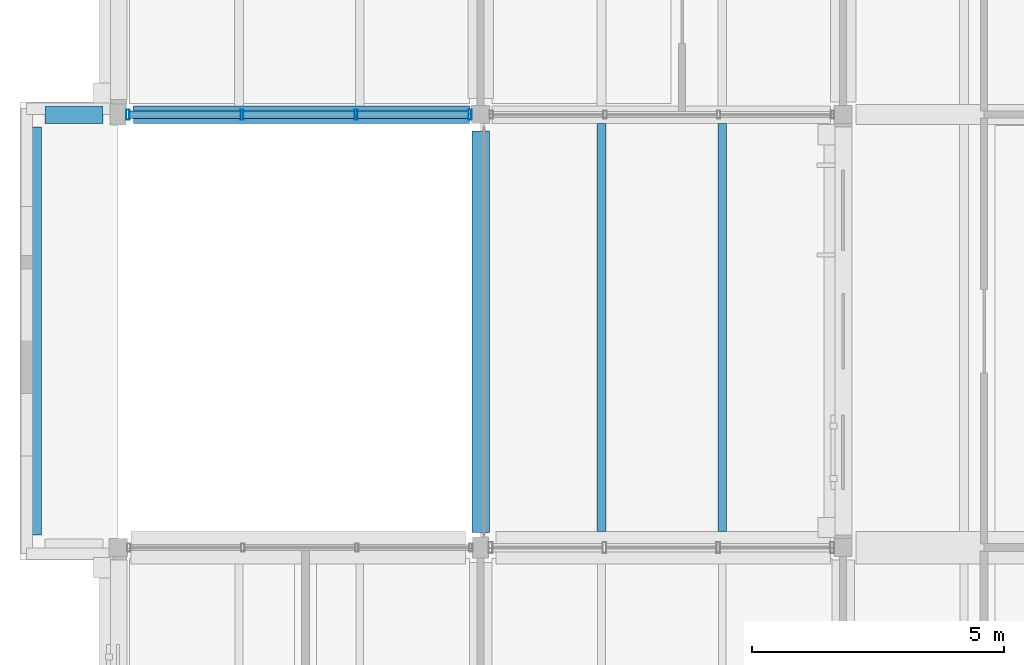
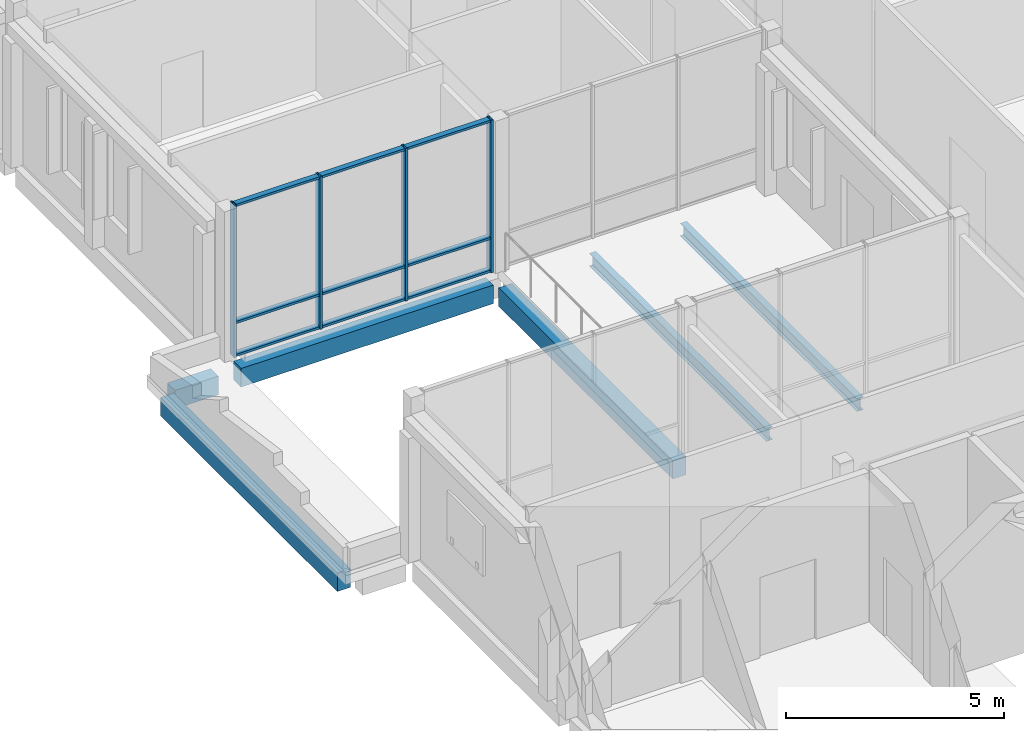
# One storey, part 22 of 146: 13 members, 6 beams, 1 element without a shape of its own.
"""IFC4 building model written with IfcOpenShell, lengths in metres."""

from ifc_helpers import new_model, si_unit, direction, frame, origin, origin_2d, place, context, subcontext, project, spatial, rectangle, hollow_rectangle, i_section, extrude, material, material_profile, profile_set, type_object, element, aggregate, save


model = new_model("IFC4")

# Units and contexts
model_context = context("Model", 3, precision=1e-05, world=origin(), true_north=direction((0.0, 1.0)))
body_context = subcontext(model_context, "Body", "Model", "MODEL_VIEW")
ifc_project = project(units=[si_unit("LENGTHUNIT", "METRE"), si_unit("AREAUNIT", "SQUARE_METRE"), si_unit("VOLUMEUNIT", "CUBIC_METRE"), si_unit("PLANEANGLEUNIT", "RADIAN"), si_unit("MASSUNIT", "GRAM", prefix="KILO")], contexts=[model_context])

# Site, building, storey
site_placement = place(None, origin())
site = spatial("IfcSite", under=ifc_project, at=site_placement, CompositionType="ELEMENT")
building_placement = place(site_placement, origin())
building = spatial("IfcBuilding", under=site, at=building_placement, Name="Hawrajan Terrace Health Centre", CompositionType="ELEMENT")
storey_placement = place(building_placement, frame((0.0, 0.0, 4.5)))
storey = spatial("IfcBuildingStorey", under=building, at=storey_placement, Name="L01", CompositionType="ELEMENT", Elevation=4.5)

# Curtain wall, members
ifc_material_1 = material(Name="Anodized bronze aluminium and low-E solar glazing", Category="aluminium")
curtain_wall_type = type_object("IfcCurtainWallType", Name="CW_Court_SeriesB1", PredefinedType="USERDEFINED", material=ifc_material_1)
curtain_wall_placement = place(storey_placement, origin())
curtain_wall = element("IfcCurtainWall", 1, at=curtain_wall_placement, inside=storey, type_object=curtain_wall_type, Name="Curtain wall CW-L01-052", ObjectType="UNITISED CURTAIN WALL", PredefinedType="USERDEFINED")
ifc_material_2 = material(Name="Anodized bronze aluminium 6063-T6", Category="aluminium")
ifc_material_profile_1 = material_profile(ifc_material_2, hollow_rectangle(XDim=0.06494140625, YDim=0.199951171875, WallThickness=0.00439453125, at=origin_2d()), Name="CW MUL 65x200")
ifc_profile_set_1 = profile_set([ifc_material_profile_1], Name="Anodized bronze aluminium 6063-T6")
member_type_1 = type_object("IfcMemberType", Name="CWMullion_65x200", PredefinedType="MULLION", material=ifc_profile_set_1)
member_1_placement = place(storey_placement, frame((4.79248046875, 27.199951171875, -0.0048828125), z_axis=(0.0, 0.0, 1.0), x_axis=(1.0, 0.0, 0.0)))
member_1 = element("IfcMember", 2, at=member_1_placement, type_object=member_type_1, Name="Mullion CW-L01-052-M1", PredefinedType="MULLION", context=body_context, shape_type="SweptSolid", body=[
    extrude(hollow_rectangle(XDim=0.06494140625, YDim=0.199951171875, WallThickness=0.00439453125, at=origin_2d()), origin(), (0.0, 0.0, 1.0), 4.269775390625),
])
member_2_placement = place(storey_placement, frame((7.0576171875, 27.199951171875, -0.0048828125), z_axis=(0.0, 0.0, 1.0), x_axis=(1.0, 0.0, 0.0)))
member_2 = element("IfcMember", 3, at=member_2_placement, type_object=member_type_1, Name="Mullion CW-L01-052-M2", PredefinedType="MULLION", context=body_context, shape_type="SweptSolid", body=[
    extrude(hollow_rectangle(XDim=0.06494140625, YDim=0.199951171875, WallThickness=0.00439453125, at=origin_2d()), origin(), (0.0, 0.0, 1.0), 4.269775390625),
])
member_3_placement = place(storey_placement, frame((9.322509765625, 27.199951171875, -0.0048828125), z_axis=(0.0, 0.0, 1.0), x_axis=(1.0, 0.0, 0.0)))
member_3 = element("IfcMember", 4, at=member_3_placement, type_object=member_type_1, Name="Mullion CW-L01-052-M3", PredefinedType="MULLION", context=body_context, shape_type="SweptSolid", body=[
    extrude(hollow_rectangle(XDim=0.06494140625, YDim=0.199951171875, WallThickness=0.00439453125, at=origin_2d()), origin(), (0.0, 0.0, 1.0), 4.269775390625),
])
member_4_placement = place(storey_placement, frame((11.58740234375, 27.199951171875, -0.0048828125), z_axis=(0.0, 0.0, 1.0), x_axis=(1.0, 0.0, 0.0)))
member_4 = element("IfcMember", 5, at=member_4_placement, type_object=member_type_1, Name="Mullion CW-L01-052-M4", PredefinedType="MULLION", context=body_context, shape_type="SweptSolid", body=[
    extrude(hollow_rectangle(XDim=0.06494140625, YDim=0.199951171875, WallThickness=0.00439453125, at=origin_2d()), origin(), (0.0, 0.0, 1.0), 4.269775390625),
])
ifc_material_profile_2 = material_profile(ifc_material_2, hollow_rectangle(XDim=0.06494140625, YDim=0.14990234375, WallThickness=0.00390625, at=origin_2d()), Name="CW TRN 65x150")
ifc_profile_set_2 = profile_set([ifc_material_profile_2], Name="Anodized bronze aluminium 6063-T6")
member_type_2 = type_object("IfcMemberType", Name="CWTransom_65x150", PredefinedType="USERDEFINED", material=ifc_profile_set_2)
member_5_placement = place(storey_placement, frame((4.819091796875, 27.199951171875, 0.032470703125), z_axis=(1.0, 0.0, 0.0), x_axis=(0.0, 0.0, 1.0)))
member_5 = element("IfcMember", 6, at=member_5_placement, type_object=member_type_2, Name="Transom CW-L01-052-T1-1", ObjectType="TRANSOM", PredefinedType="USERDEFINED", context=body_context, shape_type="SweptSolid", body=[
    extrude(hollow_rectangle(XDim=0.06494140625, YDim=0.14990234375, WallThickness=0.00390625, at=origin_2d()), origin(), (0.0, 0.0, 1.0), 2.2119140625),
])
member_6_placement = place(storey_placement, frame((4.819091796875, 27.199951171875, 0.949951171875), z_axis=(1.0, 0.0, 0.0), x_axis=(0.0, 0.0, 1.0)))
member_6 = element("IfcMember", 7, at=member_6_placement, type_object=member_type_2, Name="Transom CW-L01-052-T1-2", ObjectType="TRANSOM", PredefinedType="USERDEFINED", context=body_context, shape_type="SweptSolid", body=[
    extrude(hollow_rectangle(XDim=0.06494140625, YDim=0.14990234375, WallThickness=0.00390625, at=origin_2d()), origin(), (0.0, 0.0, 1.0), 2.2119140625),
])
member_7_placement = place(storey_placement, frame((4.819091796875, 27.199951171875, 4.2275390625), z_axis=(1.0, 0.0, 0.0), x_axis=(0.0, 0.0, 1.0)))
member_7 = element("IfcMember", 8, at=member_7_placement, type_object=member_type_2, Name="Transom CW-L01-052-T1-3", ObjectType="TRANSOM", PredefinedType="USERDEFINED", context=body_context, shape_type="SweptSolid", body=[
    extrude(hollow_rectangle(XDim=0.06494140625, YDim=0.14990234375, WallThickness=0.00390625, at=origin_2d()), origin(), (0.0, 0.0, 1.0), 2.2119140625),
])
member_8_placement = place(storey_placement, frame((7.083984375, 27.199951171875, 0.032470703125), z_axis=(1.0, 0.0, 0.0), x_axis=(0.0, 0.0, 1.0)))
member_8 = element("IfcMember", 9, at=member_8_placement, type_object=member_type_2, Name="Transom CW-L01-052-T2-1", ObjectType="TRANSOM", PredefinedType="USERDEFINED", context=body_context, shape_type="SweptSolid", body=[
    extrude(hollow_rectangle(XDim=0.06494140625, YDim=0.14990234375, WallThickness=0.00390625, at=origin_2d()), origin(), (0.0, 0.0, 1.0), 2.2119140625),
])
member_9_placement = place(storey_placement, frame((7.083984375, 27.199951171875, 0.949951171875), z_axis=(1.0, 0.0, 0.0), x_axis=(0.0, 0.0, 1.0)))
member_9 = element("IfcMember", 10, at=member_9_placement, type_object=member_type_2, Name="Transom CW-L01-052-T2-2", ObjectType="TRANSOM", PredefinedType="USERDEFINED", context=body_context, shape_type="SweptSolid", body=[
    extrude(hollow_rectangle(XDim=0.06494140625, YDim=0.14990234375, WallThickness=0.00390625, at=origin_2d()), origin(), (0.0, 0.0, 1.0), 2.2119140625),
])
member_10_placement = place(storey_placement, frame((7.083984375, 27.199951171875, 4.2275390625), z_axis=(1.0, 0.0, 0.0), x_axis=(0.0, 0.0, 1.0)))
member_10 = element("IfcMember", 11, at=member_10_placement, type_object=member_type_2, Name="Transom CW-L01-052-T2-3", ObjectType="TRANSOM", PredefinedType="USERDEFINED", context=body_context, shape_type="SweptSolid", body=[
    extrude(hollow_rectangle(XDim=0.06494140625, YDim=0.14990234375, WallThickness=0.00390625, at=origin_2d()), origin(), (0.0, 0.0, 1.0), 2.2119140625),
])
member_11_placement = place(storey_placement, frame((9.34912109375, 27.199951171875, 0.032470703125), z_axis=(1.0, 0.0, 0.0), x_axis=(0.0, 0.0, 1.0)))
member_11 = element("IfcMember", 12, at=member_11_placement, type_object=member_type_2, Name="Transom CW-L01-052-T3-1", ObjectType="TRANSOM", PredefinedType="USERDEFINED", context=body_context, shape_type="SweptSolid", body=[
    extrude(hollow_rectangle(XDim=0.06494140625, YDim=0.14990234375, WallThickness=0.00390625, at=origin_2d()), origin(), (0.0, 0.0, 1.0), 2.2119140625),
])
member_12_placement = place(storey_placement, frame((9.34912109375, 27.199951171875, 0.949951171875), z_axis=(1.0, 0.0, 0.0), x_axis=(0.0, 0.0, 1.0)))
member_12 = element("IfcMember", 13, at=member_12_placement, type_object=member_type_2, Name="Transom CW-L01-052-T3-2", ObjectType="TRANSOM", PredefinedType="USERDEFINED", context=body_context, shape_type="SweptSolid", body=[
    extrude(hollow_rectangle(XDim=0.06494140625, YDim=0.14990234375, WallThickness=0.00390625, at=origin_2d()), origin(), (0.0, 0.0, 1.0), 2.2119140625),
])
member_13_placement = place(storey_placement, frame((9.34912109375, 27.199951171875, 4.2275390625), z_axis=(1.0, 0.0, 0.0), x_axis=(0.0, 0.0, 1.0)))
member_13 = element("IfcMember", 14, at=member_13_placement, type_object=member_type_2, Name="Transom CW-L01-052-T3-3", ObjectType="TRANSOM", PredefinedType="USERDEFINED", context=body_context, shape_type="SweptSolid", body=[
    extrude(hollow_rectangle(XDim=0.06494140625, YDim=0.14990234375, WallThickness=0.00390625, at=origin_2d()), origin(), (0.0, 0.0, 1.0), 2.2119140625),
])
aggregate(curtain_wall, [member_1, member_2, member_3, member_4, member_5, member_6, member_7, member_8, member_9, member_10, member_11, member_12, member_13])

# Beams
ifc_material_3 = material(Name="Concrete C40/50", Category="concrete")
ifc_material_profile_3 = material_profile(ifc_material_3, rectangle(XDim=0.35009765625, YDim=0.52001953125, at=origin_2d()), Name="RC SP 350x520")
ifc_profile_set_3 = profile_set([ifc_material_profile_3], Name="Concrete C40/50")
beam_type_1 = type_object("IfcBeamType", Name="RCSpandrel_350x520", PredefinedType="SPANDREL", material=ifc_profile_set_3)
beam_1_placement = place(storey_placement, frame((4.89990234375, 27.199951171875, -0.56005859375), z_axis=(1.0, 0.0, 0.0), x_axis=(0.0, 1.0, 0.0)))
element("IfcBeam", 15, at=beam_1_placement, inside=storey, type_object=beam_type_1, Name="Beam BM-X-L01-W-01-Y4", PredefinedType="SPANDREL", context=body_context, shape_type="SweptSolid", body=[
    extrude(rectangle(XDim=0.35009765625, YDim=0.52001953125, at=origin_2d()), origin(), (0.0, 0.0, 1.0), 6.675048828125),
])
beam_2_placement = place(storey_placement, frame((11.800048828125, 18.89990234375, -0.56005859375), z_axis=(0.0, 1.0, 0.0), x_axis=(-1.0, 0.0, 0.0)))
element("IfcBeam", 16, at=beam_2_placement, inside=storey, type_object=beam_type_1, Name="Beam BM-Y-L01-W-X02-3", PredefinedType="SPANDREL", context=body_context, shape_type="SweptSolid", body=[
    extrude(rectangle(XDim=0.35009765625, YDim=0.52001953125, at=origin_2d()), origin(), (0.0, 0.0, 1.0), 7.97509765625),
])
beam_3_placement = place(storey_placement, frame((3.14990234375, 27.199951171875, -0.56005859375), z_axis=(1.0, 0.0, 0.0), x_axis=(0.0, 1.0, 0.0)))
element("IfcBeam", 17, at=beam_3_placement, inside=storey, type_object=beam_type_1, Name="Portico side architrave beam 2", PredefinedType="SPANDREL", context=body_context, shape_type="SweptSolid", body=[
    extrude(rectangle(XDim=0.35009765625, YDim=0.52001953125, at=origin_2d()), origin(), (0.0, 0.0, 1.0), 1.150146484375),
])
beam_4_placement = place(storey_placement, frame((2.89990234375, 18.85009765625, -0.56005859375), z_axis=(0.0, 1.0, 0.0), x_axis=(-1.0, 0.0, 0.0)))
element("IfcBeam", 18, at=beam_4_placement, inside=storey, type_object=beam_type_1, Name="Portico front architrave beam", PredefinedType="SPANDREL", context=body_context, shape_type="SweptSolid", body=[
    extrude(rectangle(XDim=0.35009765625, YDim=0.52001953125, at=origin_2d()), origin(), (0.0, 0.0, 1.0), 8.099853515625),
])
ifc_material_4 = material(Name="Steel S355", Category="steel")
ifc_material_profile_4 = material_profile(ifc_material_4, i_section(OverallWidth=0.169921875, OverallDepth=0.360107421875, WebThickness=0.008056640625, FlangeThickness=0.0126953125, FilletRadius=0.01806640625, at=origin_2d()), Name="IPE 360")
ifc_profile_set_4 = profile_set([ifc_material_profile_4], Name="Steel S355")
beam_type_2 = type_object("IfcBeamType", Name="SteelBeam_IPE360", PredefinedType="BEAM", material=ifc_profile_set_4)
for number, where, z_axis, x_axis, name in (
    (19, (14.199951171875, 18.925048828125, -0.47998046875), (0.0, 1.0, 0.0), (-1.0, 0.0, 0.0), "Secondary joist JST-L01-W-02-3-1"),
    (20, (16.60009765625, 18.925048828125, -0.47998046875), (0.0, 1.0, 0.0), (-1.0, 0.0, 0.0), "Secondary joist JST-L01-W-02-3-2"),
):
    element("IfcBeam", number, at=place(storey_placement, frame(where, z_axis=z_axis, x_axis=x_axis)), inside=storey, type_object=beam_type_2, Name=name, PredefinedType="BEAM", context=body_context, shape_type="SweptSolid", body=[
        extrude(i_section(OverallWidth=0.169921875, OverallDepth=0.360107421875, WebThickness=0.008056640625, FlangeThickness=0.0126953125, FilletRadius=0.01806640625, at=origin_2d()), origin(), (0.0, 0.0, 1.0), 8.099853515625),
    ])

save(model, "model.ifc")
